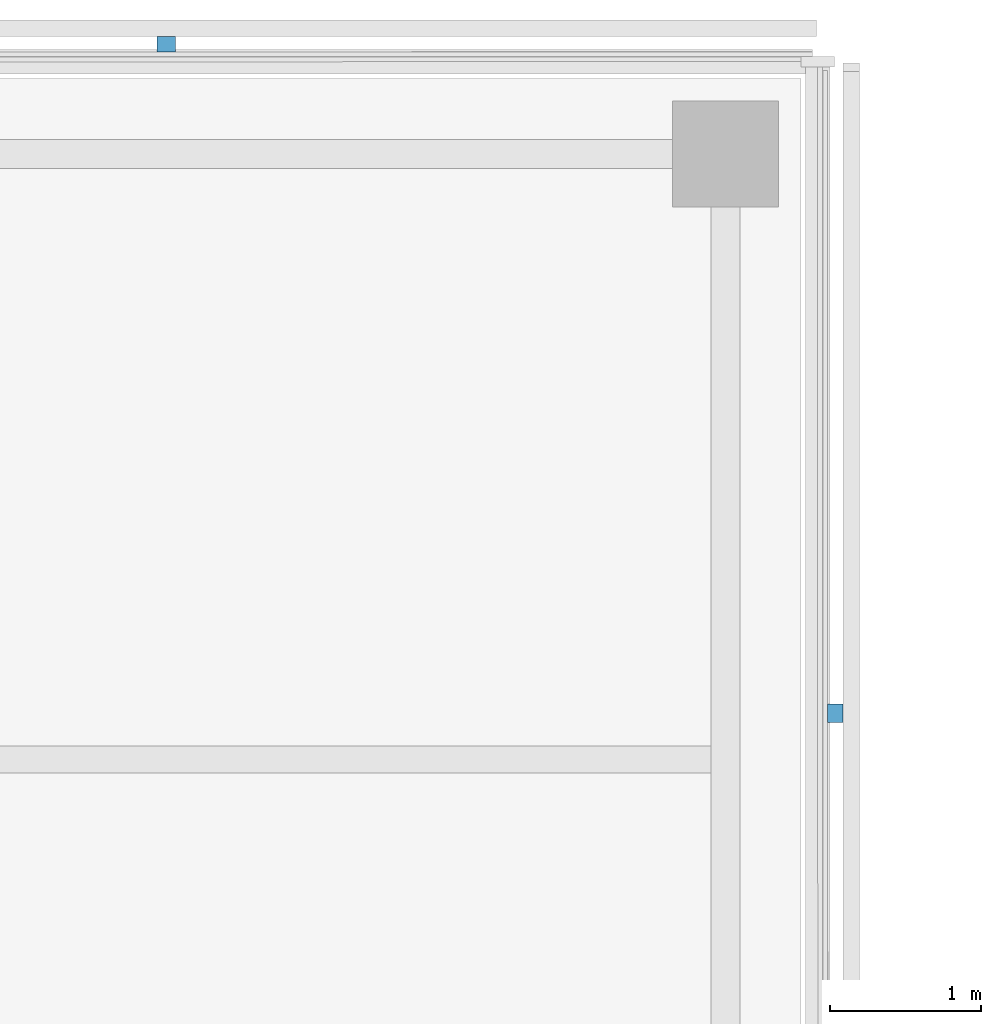
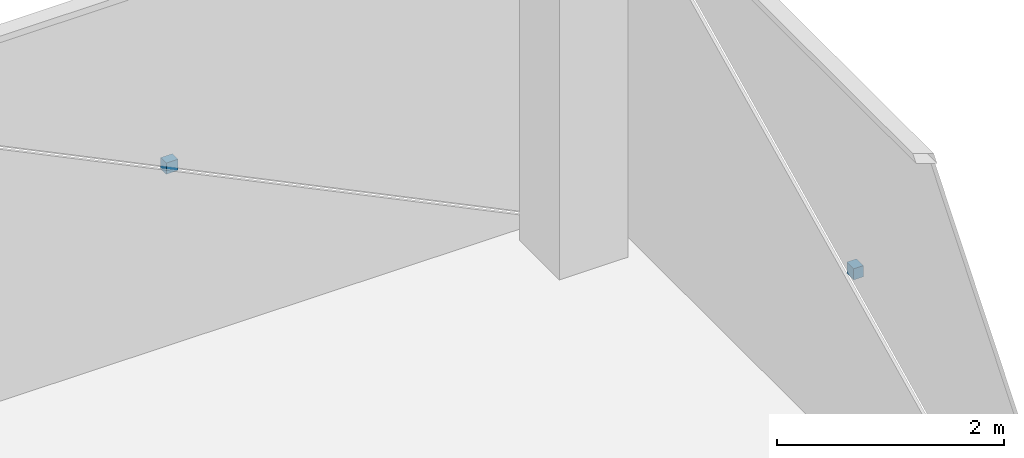
# One storey, part 20 of 22: 2 discrete accessories.
"""IFC4 building model written with IfcOpenShell, lengths in metres."""

from ifc_helpers import new_model, si_unit, direction, frame, origin, origin_2d, place, context, subcontext, project, spatial, rectangle, extrude, material, type_object, element, save


model = new_model("IFC4")

# Units and contexts
model_context = context("Model", 3, precision=1e-05, world=origin(), true_north=direction((0.0, 1.0)))
body_context = subcontext(model_context, "Body", "Model", "MODEL_VIEW")
ifc_project = project(units=[si_unit("LENGTHUNIT", "METRE"), si_unit("AREAUNIT", "SQUARE_METRE"), si_unit("VOLUMEUNIT", "CUBIC_METRE"), si_unit("PLANEANGLEUNIT", "RADIAN"), si_unit("MASSUNIT", "GRAM", prefix="KILO")], contexts=[model_context])

# Site, building, storey
site_placement = place(None, origin())
site = spatial("IfcSite", under=ifc_project, at=site_placement, CompositionType="ELEMENT")
building_placement = place(site_placement, origin())
building = spatial("IfcBuilding", under=site, at=building_placement, Name="Crosswind Convention Tower", CompositionType="ELEMENT")
storey_placement = place(building_placement, frame((0.0, 0.0, 125.300048828125)))
storey = spatial("IfcBuildingStorey", under=building, at=storey_placement, Name="L25", CompositionType="ELEMENT", Elevation=125.300048828125)

# Discrete accessories
ifc_material = material(Name="Stainless steel", Category="steel")
discrete_accessory_type = type_object("IfcDiscreteAccessoryType", Name="BAGUETTE BRACKET BK3", PredefinedType="BRACKET", material=ifc_material)
for number, where, z_axis, x_axis, name in (
    (1, (137.72607421875, 124.304931640625, 1.704833984375), (0.0, 0.0, 1.0), (0.0, 1.0, 0.0), "BK3 baguette bracket"),
    (2, (133.304931640625, 128.72607421875, 1.704833984375), (0.0, 0.0, 1.0), (-1.0, 0.0, 0.0), "BK3 baguette bracket"),
):
    element("IfcDiscreteAccessory", number, at=place(storey_placement, frame(where, z_axis=z_axis, x_axis=x_axis)), inside=storey, type_object=discrete_accessory_type, Name=name, PredefinedType="BRACKET", context=body_context, shape_type="SweptSolid", body=[
        extrude(rectangle(XDim=0.1201171875, YDim=0.10009765625, at=origin_2d()), origin(), (0.0, 0.0, 1.0), 0.1201171875),
    ])

save(model, "model.ifc")
